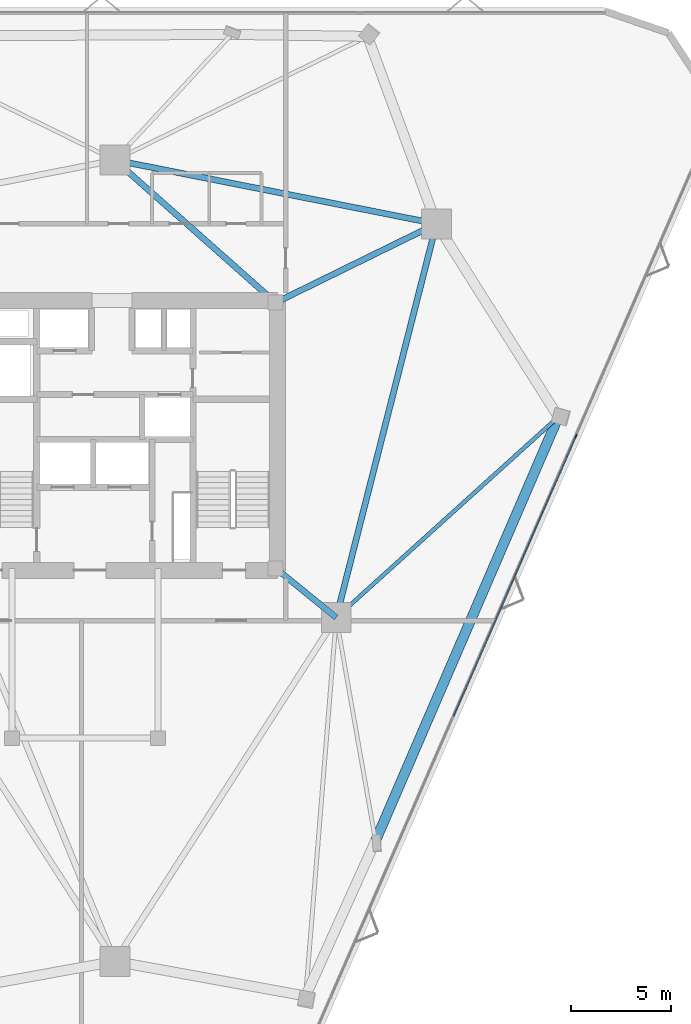
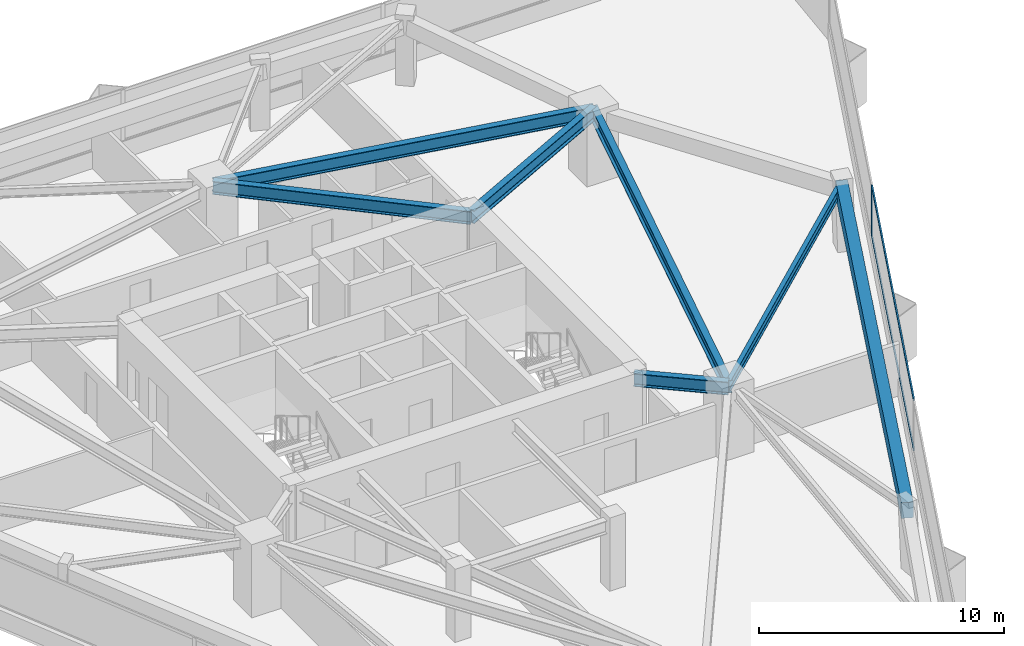
# One storey, part 6 of 15: 7 beams, 3 members, 1 element without a shape of its own.
"""IFC4 building model written with IfcOpenShell, lengths in metres."""

from ifc_helpers import new_model, si_unit, direction, frame, origin, origin_2d, place, context, subcontext, project, spatial, rectangle, i_section, extrude, material, layer, layer_set, material_profile, profile_set, type_object, element, aggregate, save


model = new_model("IFC4")

# Units and contexts
model_context = context("Model", 3, precision=1e-05, world=origin(), true_north=direction((0.0, 1.0)))
body_context = subcontext(model_context, "Body", "Model", "MODEL_VIEW")
ifc_project = project(units=[si_unit("LENGTHUNIT", "METRE"), si_unit("AREAUNIT", "SQUARE_METRE"), si_unit("VOLUMEUNIT", "CUBIC_METRE"), si_unit("PLANEANGLEUNIT", "RADIAN"), si_unit("MASSUNIT", "GRAM", prefix="KILO")], contexts=[model_context])

# Site, building, storey
site_placement = place(None, origin())
site = spatial("IfcSite", under=ifc_project, at=site_placement, CompositionType="ELEMENT")
building_placement = place(site_placement, origin())
building = spatial("IfcBuilding", under=site, at=building_placement, Name="Talyreon Biosciences Tower", CompositionType="ELEMENT")
storey_placement = place(building_placement, frame((0.0, 0.0, 127.199951171875)))
storey = spatial("IfcBuildingStorey", under=building, at=storey_placement, Name="L33", CompositionType="ELEMENT", Elevation=127.199951171875)

# Curtain wall, members
ifc_material_1 = material(Name="Thermally broken aluminium and low-E glazing", Category="aluminium")
ifc_layer = layer(ifc_material_1, 0.18505859375)
ifc_layer_set = layer_set([ifc_layer], Name="Thermally broken aluminium and low-E glazing")
curtain_wall_type = type_object("IfcCurtainWallType", Name="CurtainWall_Zone3Bioprocess", PredefinedType="NOTDEFINED", material=ifc_layer_set)
curtain_wall_placement = place(storey_placement, origin())
curtain_wall = element("IfcCurtainWall", 1, at=curtain_wall_placement, inside=storey, type_object=curtain_wall_type, Name="L33 Unitised Curtain Wall FCW-L33-08", PredefinedType="NOTDEFINED")
ifc_material_2 = material(Name="Anodised thermally broken aluminium", Category="aluminium")
ifc_material_profile_1 = material_profile(ifc_material_2, rectangle(XDim=0.06494140625, YDim=0.179931640625, at=origin_2d()), Name="ALUM MULLION 65x180")
ifc_profile_set_1 = profile_set([ifc_material_profile_1], Name="Anodised thermally broken aluminium")
member_type_1 = type_object("IfcMemberType", Name="CWMullion_65x180", PredefinedType="MULLION", material=ifc_profile_set_1)
member_1_placement = place(storey_placement, frame((89.084716796875, 67.959716796875, 0.81005859375), z_axis=(0.0, 0.0, 1.0), x_axis=(0.916489607057, -0.400058495919, 0.0)))
member_1 = element("IfcMember", 2, at=member_1_placement, type_object=member_type_1, Name="CW4 mullion 2", PredefinedType="MULLION", context=body_context, shape_type="SweptSolid", body=[
    extrude(rectangle(XDim=0.06494140625, YDim=0.179931640625, at=origin_2d()), origin(), (0.0, 0.0, 1.0), 2.56494140625),
])
ifc_material_profile_2 = material_profile(ifc_material_2, rectangle(XDim=0.06494140625, YDim=0.139892578125, at=origin_2d()), Name="ALUM TRANSOM 65x140")
ifc_profile_set_2 = profile_set([ifc_material_profile_2], Name="Anodised thermally broken aluminium")
member_type_2 = type_object("IfcMemberType", Name="CWTransom_65x140", PredefinedType="USERDEFINED", material=ifc_profile_set_2)
member_2_placement = place(storey_placement, frame((89.07177734375, 67.929931640625, 0.842529296875), z_axis=(-0.400056615307, -0.916490427964, 0.0), x_axis=(0.916490427964, -0.400056615307, 0.0)))
member_2 = element("IfcMember", 3, at=member_2_placement, type_object=member_type_2, Name="CW4 transom 2.1", ObjectType="TRANSOM", PredefinedType="USERDEFINED", context=body_context, shape_type="SweptSolid", body=[
    extrude(rectangle(XDim=0.06494140625, YDim=0.139892578125, at=origin_2d()), origin(), (0.0, 0.0, 1.0), 15.259765625),
])
member_3_placement = place(storey_placement, frame((89.07177734375, 67.929931640625, 3.342529296875), z_axis=(-0.400056615307, -0.916490427964, 0.0), x_axis=(0.916490427964, -0.400056615307, 0.0)))
member_3 = element("IfcMember", 4, at=member_3_placement, type_object=member_type_2, Name="CW4 transom 2.2", ObjectType="TRANSOM", PredefinedType="USERDEFINED", context=body_context, shape_type="SweptSolid", body=[
    extrude(rectangle(XDim=0.06494140625, YDim=0.139892578125, at=origin_2d()), origin(), (0.0, 0.0, 1.0), 15.259765625),
])
aggregate(curtain_wall, [member_1, member_2, member_3])

# Beams
ifc_material_3 = material(Name="Precast concrete C45/55", Category="concrete")
ifc_material_profile_3 = material_profile(ifc_material_3, rectangle(XDim=0.5, YDim=0.780029296875, at=origin_2d()), Name="RCB 500x780")
ifc_profile_set_3 = profile_set([ifc_material_profile_3], Name="Precast concrete C45/55")
beam_type_1 = type_object("IfcBeamType", Name="ExpressedSpandrel_500x780", PredefinedType="SPANDREL", material=ifc_profile_set_3)
beam_1_placement = place(storey_placement, frame((79.05078125, 47.701171875, 2.985107421875), z_axis=(0.396034021673, 0.918235837722, 0.0), x_axis=(-0.918235837722, 0.396034021673, 0.0)))
element("IfcBeam", 5, at=beam_1_placement, inside=storey, type_object=beam_type_1, Name="L33 Expressed Horizontal Concrete Spandrel 03", PredefinedType="SPANDREL", context=body_context, shape_type="SweptSolid", body=[
    extrude(rectangle(XDim=0.5, YDim=0.780029296875, at=origin_2d()), origin(), (0.0, 0.0, 1.0), 23.117919921875),
])
ifc_material_4 = material(Name="Steel SM355", Category="steel")
ifc_material_profile_4 = material_profile(ifc_material_4, i_section(OverallWidth=0.300048828125, OverallDepth=0.64990234375, WebThickness=0.01611328125, FlangeThickness=0.031005859375, FilletRadius=0.027099609375, at=origin_2d()), Name="HE650B")
ifc_profile_set_4 = profile_set([ifc_material_profile_4], Name="Steel SM355")
beam_type_2 = type_object("IfcBeamType", Name="SteelBeam_HE650B", PredefinedType="BEAM", material=ifc_profile_set_4)
beam_2_placement = place(storey_placement, frame((77.086181640625, 58.88037109375, 3.050048828125), z_axis=(0.246537082299, 0.969133358755, 0.0), x_axis=(-0.969133358755, 0.246537082299, 0.0)))
element("IfcBeam", 6, at=beam_2_placement, inside=storey, type_object=beam_type_2, Name="L33 Mega-Ring Girder 2", PredefinedType="BEAM", context=body_context, shape_type="SweptSolid", body=[
    extrude(i_section(OverallWidth=0.300048828125, OverallDepth=0.64990234375, WebThickness=0.01611328125, FlangeThickness=0.031005859375, FilletRadius=0.027099609375, at=origin_2d()), origin(), (0.0, 0.0, 1.0), 20.34619140625),
])
beam_3_placement = place(storey_placement, frame((82.102294921875, 78.5986328125, 3.050048828125), z_axis=(-0.980933730698, 0.194342522311, 0.0), x_axis=(-0.194342522311, -0.980933730698, 0.0)))
element("IfcBeam", 7, at=beam_3_placement, inside=storey, type_object=beam_type_2, Name="L33 Mega-Ring Girder 3", PredefinedType="BEAM", context=body_context, shape_type="SweptSolid", body=[
    extrude(i_section(OverallWidth=0.300048828125, OverallDepth=0.64990234375, WebThickness=0.01611328125, FlangeThickness=0.031005859375, FilletRadius=0.027099609375, at=origin_2d()), origin(), (0.0, 0.0, 1.0), 16.415283203125),
])
beam_4_placement = place(storey_placement, frame((74.050048828125, 61.35009765625, 3.050048828125), z_axis=(0.775755154013, -0.631034025249, 0.0), x_axis=(0.631034025249, 0.775755154013, 0.0)))
element("IfcBeam", 8, at=beam_4_placement, inside=storey, type_object=beam_type_2, Name="L33 Radial Primary Girder 2", PredefinedType="BEAM", context=body_context, shape_type="SweptSolid", body=[
    extrude(i_section(OverallWidth=0.300048828125, OverallDepth=0.64990234375, WebThickness=0.01611328125, FlangeThickness=0.031005859375, FilletRadius=0.027099609375, at=origin_2d()), origin(), (0.0, 0.0, 1.0), 3.913818359375),
])
beam_5_placement = place(storey_placement, frame((74.050048828125, 74.64990234375, 3.050048828125), z_axis=(0.897852360314, 0.440296648952, 0.0), x_axis=(-0.440296648952, 0.897852360314, 0.0)))
element("IfcBeam", 9, at=beam_5_placement, inside=storey, type_object=beam_type_2, Name="L33 Radial Primary Girder 3", PredefinedType="BEAM", context=body_context, shape_type="SweptSolid", body=[
    extrude(i_section(OverallWidth=0.300048828125, OverallDepth=0.64990234375, WebThickness=0.01611328125, FlangeThickness=0.031005859375, FilletRadius=0.027099609375, at=origin_2d()), origin(), (0.0, 0.0, 1.0), 8.96826171875),
])
beam_6_placement = place(storey_placement, frame((74.050048828125, 74.64990234375, 3.050048828125), z_axis=(-0.748178733955, 0.663497235908, 0.0), x_axis=(-0.663497235908, -0.748178733955, 0.0)))
element("IfcBeam", 10, at=beam_6_placement, inside=storey, type_object=beam_type_2, Name="L33 Radial Primary Girder 4", PredefinedType="BEAM", context=body_context, shape_type="SweptSolid", body=[
    extrude(i_section(OverallWidth=0.300048828125, OverallDepth=0.64990234375, WebThickness=0.01611328125, FlangeThickness=0.031005859375, FilletRadius=0.027099609375, at=origin_2d()), origin(), (0.0, 0.0, 1.0), 10.759521484375),
])
ifc_material_profile_5 = material_profile(ifc_material_4, i_section(OverallWidth=0.199951171875, OverallDepth=0.5, WebThickness=0.01025390625, FlangeThickness=0.01611328125, FilletRadius=0.02099609375, at=origin_2d()), Name="IPE500")
ifc_profile_set_5 = profile_set([ifc_material_profile_5], Name="Steel SM355")
beam_type_3 = type_object("IfcBeamType", Name="SteelJoist_IPE500", PredefinedType="JOIST", material=ifc_profile_set_5)
beam_7_placement = place(storey_placement, frame((77.086181640625, 58.88037109375, 3.125), z_axis=(0.741949717759, 0.670455528964, 0.0), x_axis=(-0.670455528964, 0.741949717759, 0.0)))
element("IfcBeam", 11, at=beam_7_placement, inside=storey, type_object=beam_type_3, Name="L33 Radial Composite Floor Joist PC-SE2", PredefinedType="JOIST", context=body_context, shape_type="SweptSolid", body=[
    extrude(i_section(OverallWidth=0.199951171875, OverallDepth=0.5, WebThickness=0.01025390625, FlangeThickness=0.01611328125, FilletRadius=0.02099609375, at=origin_2d()), origin(), (0.0, 0.0, 1.0), 14.98779296875),
])

save(model, "model.ifc")
